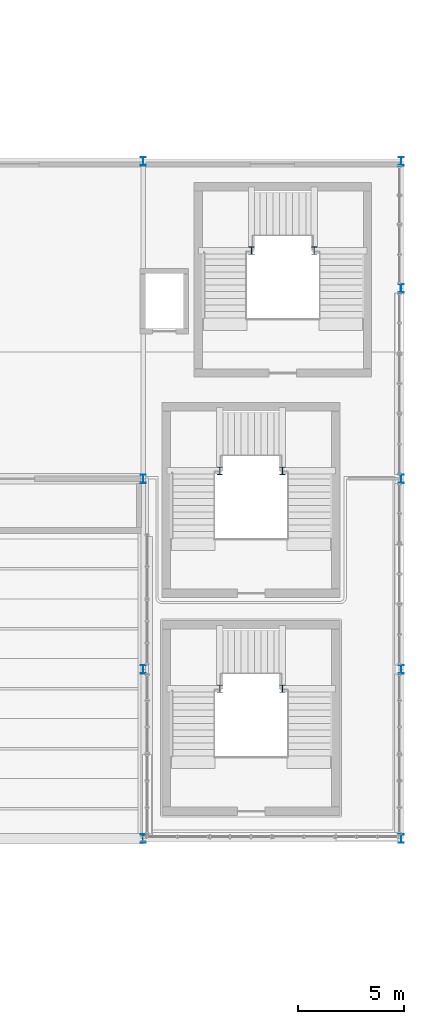
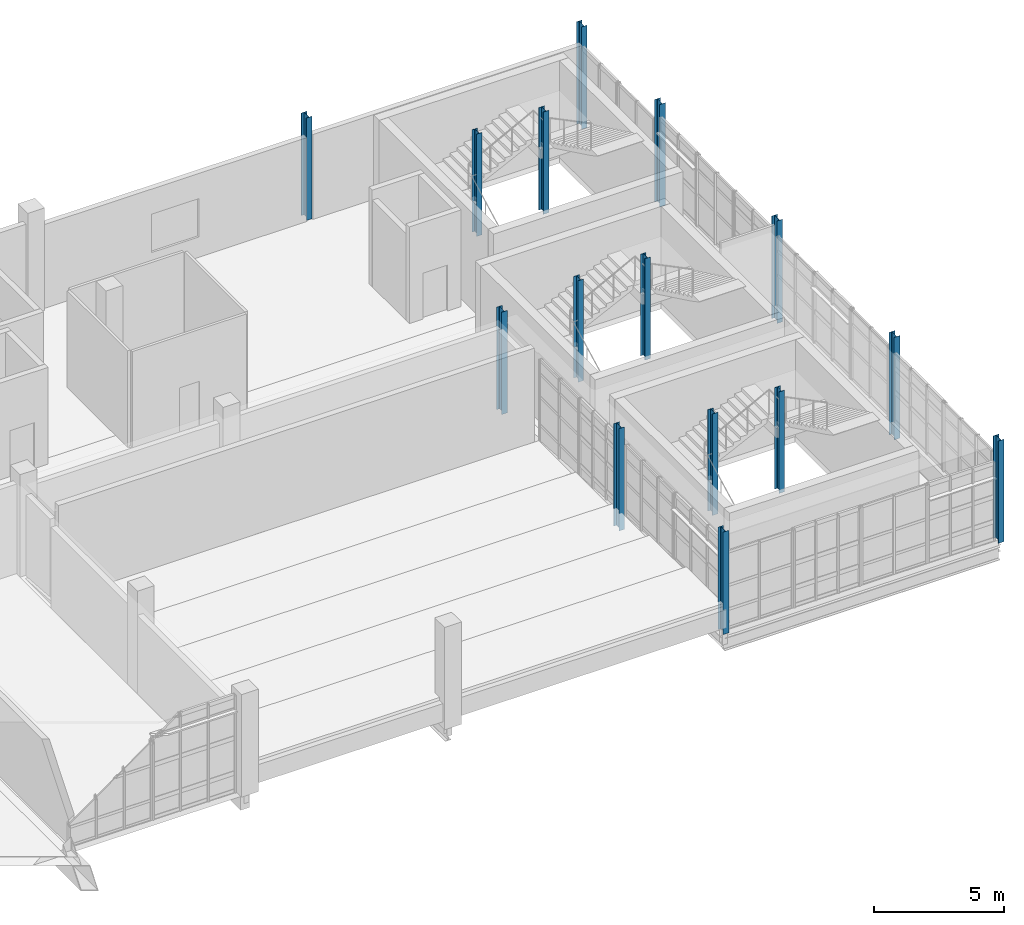
# One storey, part 13 of 100: 15 columns.
"""IFC4 building model written with IfcOpenShell, lengths in metres."""

from ifc_helpers import new_model, si_unit, derived_unit, direction, frame, origin, origin_2d, place, context, subcontext, project, spatial, i_section, extrude, material, material_profile, profile_set, type_object, element, save


model = new_model("IFC4")

# Units and contexts
model_context = context("Model", 3, precision=1e-05, world=origin(), true_north=direction((0.0, 1.0)))
body_context = subcontext(model_context, "Body", "Model", "MODEL_VIEW")
ifc_project = project(units=[si_unit("LENGTHUNIT", "METRE"), si_unit("AREAUNIT", "SQUARE_METRE"), si_unit("VOLUMEUNIT", "CUBIC_METRE"), si_unit("PLANEANGLEUNIT", "RADIAN"), si_unit("MASSUNIT", "GRAM", prefix="KILO"), derived_unit("THERMALTRANSMITTANCEUNIT", [(si_unit("POWERUNIT", "WATT"), 1), (si_unit("LENGTHUNIT", "METRE"), -2), (si_unit("THERMODYNAMICTEMPERATUREUNIT", "KELVIN"), -1)])], contexts=[model_context])

# Site, building, storey
site_placement = place(None, origin())
site = spatial("IfcSite", under=ifc_project, at=site_placement, CompositionType="ELEMENT")
building_placement = place(site_placement, origin())
building = spatial("IfcBuilding", under=site, at=building_placement, Name="Nallur Shell Playhouse", CompositionType="ELEMENT")
storey_placement = place(building_placement, frame((0.0, 0.0, 10.199951171875)))
storey = spatial("IfcBuildingStorey", under=building, at=storey_placement, Name="L03", CompositionType="ELEMENT", Elevation=10.199951171875)

# Columns
ifc_material = material(Name="Steel E350", Category="steel")
ifc_material_profile_1 = material_profile(ifc_material, i_section(OverallWidth=0.25, OverallDepth=0.35009765625, WebThickness=0.010009765625, FlangeThickness=0.01171875, FilletRadius=0.011962890625, at=origin_2d()), Name="ISHB 350")
ifc_profile_set_1 = profile_set([ifc_material_profile_1], Name="Steel E350")
column_type_1 = type_object("IfcColumnType", Name="CL-ST-ISHB350", PredefinedType="COLUMN", material=ifc_profile_set_1)
for number, where, z_axis, x_axis, name in (
    (1, (152.719970703125, 51.780029296875, 0.0), (0.0, 0.0, 1.0), (1.0, 0.0, 0.0), "Column STW-JC-5-W (L03)"),
    (2, (155.679931640625, 51.780029296875, 0.0), (0.0, 0.0, 1.0), (1.0, 0.0, 0.0), "Column STW-JC-5-E (L03)"),
):
    element("IfcColumn", number, at=place(storey_placement, frame(where, z_axis=z_axis, x_axis=x_axis)), inside=storey, type_object=column_type_1, Name=name, PredefinedType="COLUMN", context=body_context, shape_type="SweptSolid", body=[
        extrude(i_section(OverallWidth=0.25, OverallDepth=0.35009765625, WebThickness=0.010009765625, FlangeThickness=0.01171875, FilletRadius=0.011962890625, at=origin_2d()), origin(), (0.0, 0.0, 1.0), 4.800048828125),
    ])
for number, where, z_axis, x_axis, name in (
    (3, (151.219970703125, 31.080078125, 0.0), (0.0, 0.0, 1.0), (1.0, 0.0, 0.0), "Column STW-JC-8-W (L03)"),
    (4, (154.179931640625, 31.080078125, 0.0), (0.0, 0.0, 1.0), (1.0, 0.0, 0.0), "Column STW-JC-8-E (L03)"),
    (5, (151.219970703125, 41.3798828125, 0.0), (0.0, 0.0, 1.0), (1.0, 0.0, 0.0), "Column STW-JC-9-W (L03)"),
    (6, (154.179931640625, 41.3798828125, 0.0), (0.0, 0.0, 1.0), (1.0, 0.0, 0.0), "Column STW-JC-9-E (L03)"),
):
    element("IfcColumn", number, at=place(storey_placement, frame(where, z_axis=z_axis, x_axis=x_axis)), inside=storey, type_object=column_type_1, Name=name, PredefinedType="COLUMN", context=body_context, shape_type="SweptSolid", body=[
        extrude(i_section(OverallWidth=0.25, OverallDepth=0.35009765625, WebThickness=0.010009765625, FlangeThickness=0.01171875, FilletRadius=0.011962890625, at=origin_2d()), origin(), (0.0, 0.0, 1.0), 4.760009765625),
    ])
ifc_material_profile_2 = material_profile(ifc_material, i_section(OverallWidth=0.25, OverallDepth=0.39990234375, WebThickness=0.010498046875, FlangeThickness=0.0126953125, FilletRadius=0.013916015625, at=origin_2d()), Name="ISHB 400")
ifc_profile_set_2 = profile_set([ifc_material_profile_2], Name="Steel E350")
column_type_2 = type_object("IfcColumnType", Name="CL-ST-ISHB400", PredefinedType="COLUMN", material=ifc_profile_set_2)
for number, where, z_axis, x_axis, name in (
    (7, (147.60009765625, 24.0, 0.0), (0.0, 0.0, 1.0), (1.0, 0.0, 0.0), "Column 18-C (L03)"),
    (8, (147.60009765625, 32.0, 0.0), (0.0, 0.0, 1.0), (1.0, 0.0, 0.0), "Column 18-D (L03)"),
    (9, (147.60009765625, 41.0, 0.0), (0.0, 0.0, 1.0), (1.0, 0.0, 0.0), "Column 18-E (L03)"),
    (10, (147.60009765625, 56.0, 0.0), (0.0, 0.0, 1.0), (1.0, 0.0, 0.0), "Column 18-G (L03)"),
    (11, (159.800048828125, 24.0, 0.0), (0.0, 0.0, 1.0), (1.0, 0.0, 0.0), "Column 19-C (L03)"),
    (12, (159.800048828125, 32.0, 0.0), (0.0, 0.0, 1.0), (1.0, 0.0, 0.0), "Column 19-D (L03)"),
    (13, (159.800048828125, 41.0, 0.0), (0.0, 0.0, 1.0), (1.0, 0.0, 0.0), "Column 19-E (L03)"),
    (14, (159.800048828125, 50.0, 0.0), (0.0, 0.0, 1.0), (1.0, 0.0, 0.0), "Column 19-F (L03)"),
    (15, (159.800048828125, 56.0, 0.0), (0.0, 0.0, 1.0), (1.0, 0.0, 0.0), "Column 19-G (L03)"),
):
    element("IfcColumn", number, at=place(storey_placement, frame(where, z_axis=z_axis, x_axis=x_axis)), inside=storey, type_object=column_type_2, Name=name, PredefinedType="COLUMN", context=body_context, shape_type="SweptSolid", body=[
        extrude(i_section(OverallWidth=0.25, OverallDepth=0.39990234375, WebThickness=0.010498046875, FlangeThickness=0.0126953125, FilletRadius=0.013916015625, at=origin_2d()), origin(), (0.0, 0.0, 1.0), 4.800048828125),
    ])

save(model, "model.ifc")
